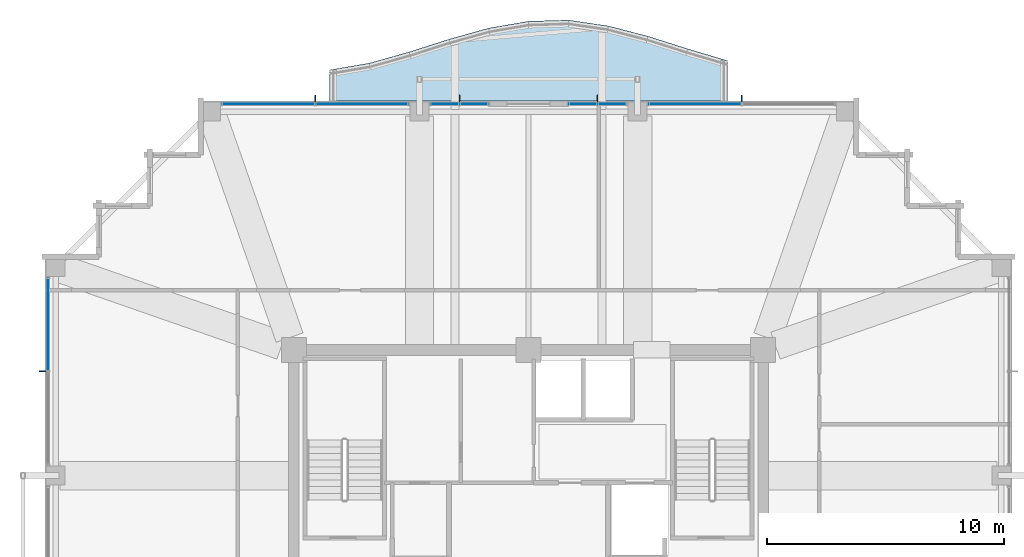
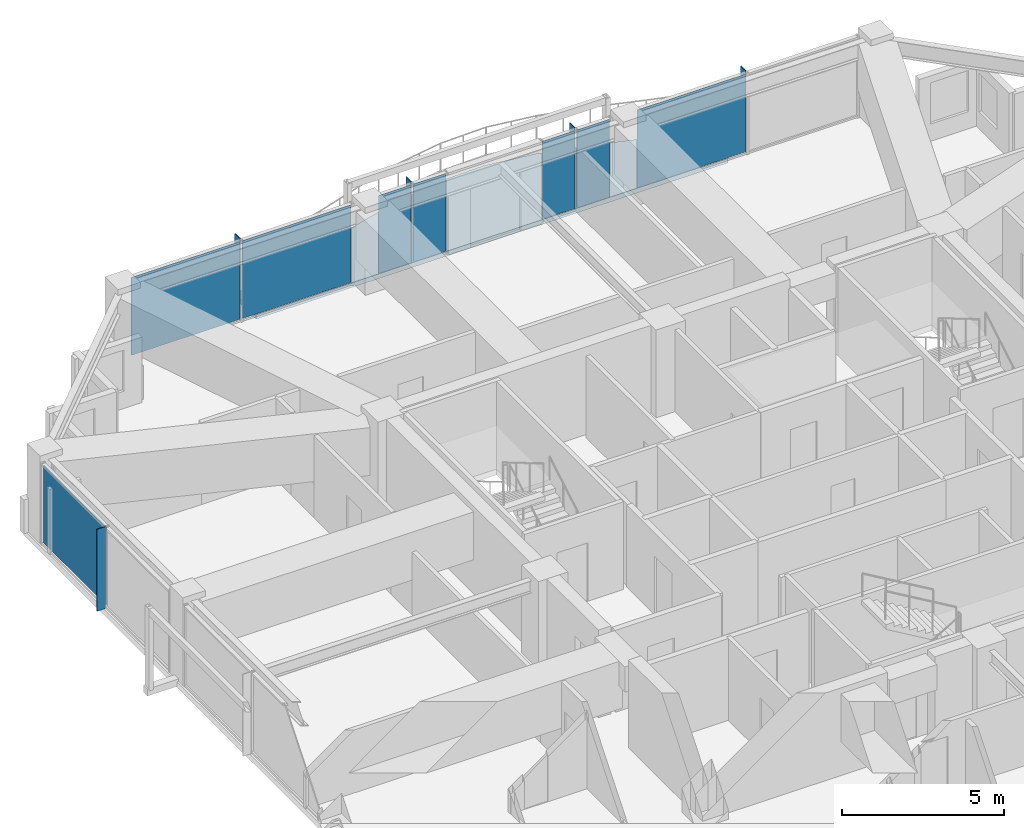
# One storey, part 29 of 37: 13 plates, 1 slab, 5 elements without a shape of their own.
"""IFC4 building model written with IfcOpenShell, lengths in metres."""

from ifc_helpers import new_model, si_unit, direction, frame, origin, origin_2d, place, context, subcontext, project, spatial, polyline, rectangle, outline, extrude, material, layer, layer_set, type_object, element, aggregate, save


model = new_model("IFC4")

# Units and contexts
model_context = context("Model", 3, precision=1e-05, world=origin(), true_north=direction((0.0, 1.0)))
body_context = subcontext(model_context, "Body", "Model", "MODEL_VIEW")
ifc_project = project(units=[si_unit("LENGTHUNIT", "METRE"), si_unit("AREAUNIT", "SQUARE_METRE"), si_unit("VOLUMEUNIT", "CUBIC_METRE"), si_unit("PLANEANGLEUNIT", "RADIAN"), si_unit("MASSUNIT", "GRAM", prefix="KILO")], contexts=[model_context])

# Site, building, storey
site_placement = place(None, origin())
site = spatial("IfcSite", under=ifc_project, at=site_placement, CompositionType="ELEMENT")
building_placement = place(site_placement, origin())
building = spatial("IfcBuilding", under=site, at=building_placement, Name="Kolvaren Belvedere", CompositionType="ELEMENT")
storey_placement = place(building_placement, frame((0.0, 0.0, 219.60009765625)))
storey = spatial("IfcBuildingStorey", under=building, at=storey_placement, Name="L64", CompositionType="ELEMENT", Elevation=219.60009765625)

# Curtain wall, plates
ifc_material_1 = material(Name="Anodised pale-metal aluminium AA 6063-T6", Category="aluminium")
curtain_wall_type = type_object("IfcCurtainWallType", Name="CW-Z5-HIGH", PredefinedType="NOTDEFINED", material=ifc_material_1)
curtain_wall_1_placement = place(storey_placement, origin())
curtain_wall_1 = element("IfcCurtainWall", 1, at=curtain_wall_1_placement, inside=storey, type_object=curtain_wall_type, Name="L64 Unitised Curtain Wall FCW-L64-N1-B1", PredefinedType="NOTDEFINED")
ifc_material_2 = material(Name="Low-iron triple insulated glass", Category="glass")
ifc_layer_1 = layer(ifc_material_2, 0.028076171875)
ifc_layer_set_1 = layer_set([ifc_layer_1], Name="Low-iron triple insulated glass")
plate_type_1 = type_object("IfcPlateType", Name="CW-PNL-VIS28", PredefinedType="CURTAIN_PANEL", material=ifc_layer_set_1)
plate_1_placement = place(storey_placement, frame((-10.972412109375, 20.280029296875, 0.079833984375), z_axis=(0.0, 0.0, 1.0), x_axis=(1.0, 0.0, 0.0)))
plate_1 = element("IfcPlate", 2, at=plate_1_placement, type_object=plate_type_1, Name="FCW-L64-N1-B1 Vision Glazing Panel 1", PredefinedType="CURTAIN_PANEL", context=body_context, shape_type="SweptSolid", body=[
    extrude(rectangle(XDim=3.864990234375, YDim=0.028076171875, at=origin_2d()), origin(), (0.0, 0.0, 1.0), 2.919921875),
])
plate_2_placement = place(storey_placement, frame((-7.027587890625, 20.280029296875, 0.079833984375), z_axis=(0.0, 0.0, 1.0), x_axis=(1.0, 0.0, 0.0)))
plate_2 = element("IfcPlate", 3, at=plate_2_placement, type_object=plate_type_1, Name="FCW-L64-N1-B1 Vision Glazing Panel 2", PredefinedType="CURTAIN_PANEL", context=body_context, shape_type="SweptSolid", body=[
    extrude(rectangle(XDim=3.864990234375, YDim=0.028076171875, at=origin_2d()), origin(), (0.0, 0.0, 1.0), 2.919921875),
])
aggregate(curtain_wall_1, [plate_1, plate_2])

curtain_wall_2_placement = place(storey_placement, origin())
curtain_wall_2 = element("IfcCurtainWall", 4, at=curtain_wall_2_placement, inside=storey, type_object=curtain_wall_type, Name="L64 Unitised Curtain Wall FCW-L64-N1-B2", PredefinedType="NOTDEFINED")
plate_3_placement = place(storey_placement, frame((-3.52880859375, 20.280029296875, 0.079833984375), z_axis=(0.0, 0.0, 1.0), x_axis=(1.0, 0.0, 0.0)))
plate_3 = element("IfcPlate", 5, at=plate_3_placement, type_object=plate_type_1, Name="FCW-L64-N1-B2 Vision Glazing Panel 1", PredefinedType="CURTAIN_PANEL", context=body_context, shape_type="SweptSolid", body=[
    extrude(rectangle(XDim=1.152587890625, YDim=0.028076171875, at=origin_2d()), origin(), (0.0, 0.0, 1.0), 2.919921875),
])
plate_4_placement = place(storey_placement, frame((-2.296142578125, 20.280029296875, 0.079833984375), z_axis=(0.0, 0.0, 1.0), x_axis=(1.0, 0.0, 0.0)))
plate_4 = element("IfcPlate", 6, at=plate_4_placement, type_object=plate_type_1, Name="FCW-L64-N1-B2 Vision Glazing Panel 2", PredefinedType="CURTAIN_PANEL", context=body_context, shape_type="SweptSolid", body=[
    extrude(rectangle(XDim=1.152587890625, YDim=0.028076171875, at=origin_2d()), origin(), (0.0, 0.0, 1.0), 2.919921875),
])
aggregate(curtain_wall_2, [plate_3, plate_4])

curtain_wall_3_placement = place(storey_placement, origin())
curtain_wall_3 = element("IfcCurtainWall", 7, at=curtain_wall_3_placement, inside=storey, type_object=curtain_wall_type, Name="L64 Unitised Curtain Wall FCW-L64-N2-B1", PredefinedType="NOTDEFINED")
plate_5_placement = place(storey_placement, frame((2.296142578125, 20.280029296875, 0.079833984375), z_axis=(0.0, 0.0, 1.0), x_axis=(1.0, 0.0, 0.0)))
plate_5 = element("IfcPlate", 8, at=plate_5_placement, type_object=plate_type_1, Name="FCW-L64-N2-B1 Vision Glazing Panel 1", PredefinedType="CURTAIN_PANEL", context=body_context, shape_type="SweptSolid", body=[
    extrude(rectangle(XDim=1.152587890625, YDim=0.028076171875, at=origin_2d()), origin(), (0.0, 0.0, 1.0), 2.919921875),
])
plate_6_placement = place(storey_placement, frame((3.52880859375, 20.280029296875, 0.079833984375), z_axis=(0.0, 0.0, 1.0), x_axis=(1.0, 0.0, 0.0)))
plate_6 = element("IfcPlate", 9, at=plate_6_placement, type_object=plate_type_1, Name="FCW-L64-N2-B1 Vision Glazing Panel 2", PredefinedType="CURTAIN_PANEL", context=body_context, shape_type="SweptSolid", body=[
    extrude(rectangle(XDim=1.152587890625, YDim=0.028076171875, at=origin_2d()), origin(), (0.0, 0.0, 1.0), 2.919921875),
])
aggregate(curtain_wall_3, [plate_5, plate_6])

# Curtain wall, plate
curtain_wall_4_placement = place(storey_placement, origin())
curtain_wall_4 = element("IfcCurtainWall", 10, at=curtain_wall_4_placement, inside=storey, type_object=curtain_wall_type, Name="L64 Unitised Curtain Wall FCW-L64-N2-B2", PredefinedType="NOTDEFINED")
plate_7_placement = place(storey_placement, frame((7.027587890625, 20.280029296875, 0.079833984375), z_axis=(0.0, 0.0, 1.0), x_axis=(1.0, 0.0, 0.0)))
plate_7 = element("IfcPlate", 11, at=plate_7_placement, type_object=plate_type_1, Name="FCW-L64-N2-B2 Vision Glazing Panel 1", PredefinedType="CURTAIN_PANEL", context=body_context, shape_type="SweptSolid", body=[
    extrude(rectangle(XDim=3.864990234375, YDim=0.028076171875, at=origin_2d()), origin(), (0.0, 0.0, 1.0), 2.919921875),
])
aggregate(curtain_wall_4, [plate_7])

curtain_wall_5_placement = place(storey_placement, origin())
curtain_wall_5 = element("IfcCurtainWall", 12, at=curtain_wall_5_placement, inside=storey, type_object=curtain_wall_type, Name="L64 Unitised Curtain Wall FCW-L64-W-B3", PredefinedType="NOTDEFINED")
plate_8_placement = place(storey_placement, frame((-20.280029296875, 10.972412109375, 0.079833984375), z_axis=(0.0, 0.0, 1.0), x_axis=(0.0, 1.0, 0.0)))
plate_8 = element("IfcPlate", 13, at=plate_8_placement, type_object=plate_type_1, Name="FCW-L64-W-B3 Vision Glazing Panel 2", PredefinedType="CURTAIN_PANEL", context=body_context, shape_type="SweptSolid", body=[
    extrude(rectangle(XDim=3.864990234375, YDim=0.028076171875, at=origin_2d()), origin(), (0.0, 0.0, 1.0), 2.919921875),
])
aggregate(curtain_wall_5, [plate_8])

# Plates
ifc_material_3 = material(Name="Anodised pale-metal aluminium AA 6063-T6", Category="aluminium")
ifc_layer_2 = layer(ifc_material_3, 0.030029296875)
ifc_layer_set_2 = layer_set([ifc_layer_2], Name="Anodised pale-metal aluminium AA 6063-T6")
plate_type_2 = type_object("IfcPlateType", Name="FIN-VERT-300", PredefinedType="USERDEFINED", material=ifc_layer_set_2)
for number, where, z_axis, x_axis, name in (
    (14, (-9.0, 20.489990234375, -0.000244140625), (0.0, 0.0, 1.0), (0.0, 1.0, 0.0), "L64 Pale-Metal Vertical Shading Fin FCW-L64-N1-B1-1"),
    (15, (-2.91259765625, 20.489990234375, -0.000244140625), (0.0, 0.0, 1.0), (0.0, 1.0, 0.0), "L64 Pale-Metal Vertical Shading Fin FCW-L64-N1-B2-1"),
    (16, (2.91259765625, 20.489990234375, -0.000244140625), (0.0, 0.0, 1.0), (0.0, 1.0, 0.0), "L64 Pale-Metal Vertical Shading Fin FCW-L64-N2-B1-1"),
    (17, (9.0, 20.489990234375, -0.000244140625), (0.0, 0.0, 1.0), (0.0, 1.0, 0.0), "L64 Pale-Metal Vertical Shading Fin FCW-L64-N2-B2-1"),
    (18, (-20.489990234375, 9.0, -0.000244140625), (0.0, 0.0, 1.0), (1.0, 0.0, 0.0), "L64 Pale-Metal Vertical Shading Fin FCW-L64-W-B3-1"),
):
    element("IfcPlate", number, at=place(storey_placement, frame(where, z_axis=z_axis, x_axis=x_axis)), inside=storey, type_object=plate_type_2, Name=name, ObjectType="VERTICAL FIN", PredefinedType="USERDEFINED", context=body_context, shape_type="SweptSolid", body=[
        extrude(rectangle(XDim=0.300048828125, YDim=0.030029296875, at=origin_2d()), origin(), (0.0, 0.0, 1.0), 3.080078125),
    ])

# Slab
ifc_material_4 = material(Name="Concrete C50/60", Category="concrete")
ifc_layer_3 = layer(ifc_material_4, 0.179931640625)
ifc_layer_set_3 = layer_set([ifc_layer_3], Name="Concrete C50/60")
slab_type = type_object("IfcSlabType", Name="SL-BAL-180", PredefinedType="FLOOR", material=ifc_layer_set_3)
slab_placement = place(storey_placement, frame((0.0, 0.0, -0.22021484375)))
element("IfcSlab", 19, at=slab_placement, inside=storey, type_object=slab_type, Name="L64 Planted Balcony BAL-N", PredefinedType="FLOOR", context=body_context, shape_type="SweptSolid", body=[
    extrude(outline(polyline([(-8.39990234375, 20.39990234375), (-6.719970703125, 20.39990234375), (-5.0400390625, 20.39990234375), (-3.360107421875, 20.39990234375), (-1.679931640625, 20.39990234375), (0.0, 20.39990234375), (1.679931640625, 20.39990234375), (3.360107421875, 20.39990234375), (5.0400390625, 20.39990234375), (6.719970703125, 20.39990234375), (8.39990234375, 20.39990234375), (8.39990234375, 22.105224609375), (6.719970703125, 22.6044921875), (5.0400390625, 23.1376953125), (3.360107421875, 23.572265625), (1.679931640625, 23.820068359375), (0.0, 23.76708984375), (-1.679931640625, 23.479248046875), (-3.360107421875, 23.008544921875), (-5.0400390625, 22.471435546875), (-6.719970703125, 22.000732421875), (-8.39990234375, 21.712890625), (-8.39990234375, 20.39990234375)])), origin(), (0.0, 0.0, 1.0), 0.18017578125),
])

save(model, "model.ifc")
